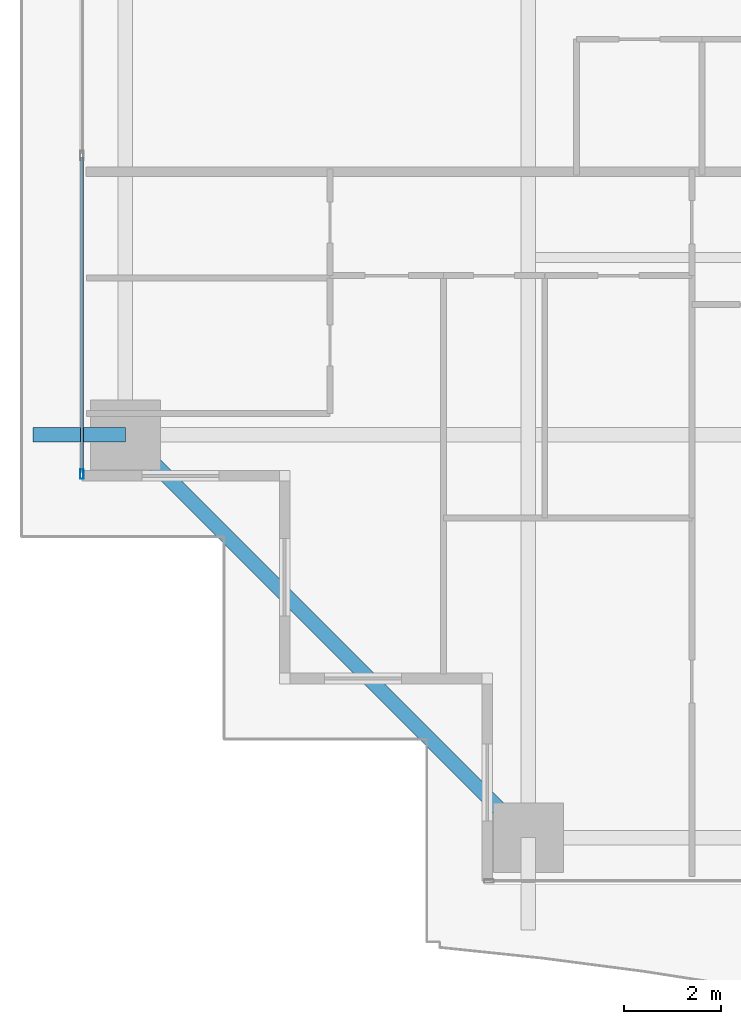
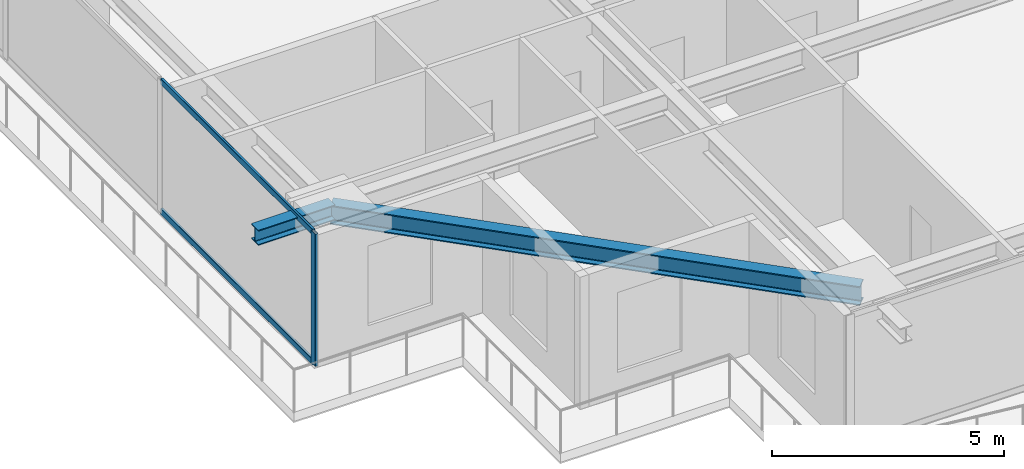
# One storey, part 3 of 39: 3 members, 2 beams, 1 element without a shape of its own.
"""IFC4 building model written with IfcOpenShell, lengths in metres."""

from ifc_helpers import new_model, si_unit, direction, frame, origin, origin_2d, place, context, subcontext, project, spatial, hollow_rectangle, i_section, extrude, source, transform, mapped, material, layer, layer_set, material_profile, profile_set, type_object, element, aggregate, save


model = new_model("IFC4")

# Units and contexts
model_context = context("Model", 3, precision=1e-05, world=origin(), true_north=direction((0.0, 1.0)))
body_context = subcontext(model_context, "Body", "Model", "MODEL_VIEW")
ifc_project = project(units=[si_unit("LENGTHUNIT", "METRE"), si_unit("AREAUNIT", "SQUARE_METRE"), si_unit("VOLUMEUNIT", "CUBIC_METRE"), si_unit("PLANEANGLEUNIT", "RADIAN"), si_unit("MASSUNIT", "GRAM", prefix="KILO")], contexts=[model_context])

# Site, building, storey
site_placement = place(None, origin())
site = spatial("IfcSite", under=ifc_project, at=site_placement, CompositionType="ELEMENT")
building_placement = place(site_placement, origin())
building = spatial("IfcBuilding", under=site, at=building_placement, Name="Serunith Strait Residences", CompositionType="ELEMENT")
storey_placement = place(building_placement, frame((0.0, 0.0, 64.199951171875)))
storey = spatial("IfcBuildingStorey", under=building, at=storey_placement, Name="L15", CompositionType="ELEMENT", Elevation=64.199951171875)

# Beams
ifc_material_1 = material(Name="Steel S355J2", Category="steel")
ifc_material_profile_1 = material_profile(ifc_material_1, i_section(OverallWidth=0.300048828125, OverallDepth=0.5, WebThickness=0.014404296875, FlangeThickness=0.028076171875, FilletRadius=0.027099609375, at=origin_2d()), Name="HEB 500")
ifc_profile_set_1 = profile_set([ifc_material_profile_1], Name="Steel S355J2")
beam_type_1 = type_object("IfcBeamType", Name="BM-HEB500", PredefinedType="BEAM", material=ifc_profile_set_1)
shared_shape_1 = source(origin(), body_context, "Body", "SweptSolid", [
    extrude(i_section(OverallWidth=0.300048828125, OverallDepth=0.5, WebThickness=0.014404296875, FlangeThickness=0.028076171875, FilletRadius=0.027099609375, at=origin_2d()), origin(), (0.0, 0.0, 1.0), 11.80859375),
])
beam_1_placement = place(storey_placement, frame((6.89990234375, 9.449951171875, 3.20703125), z_axis=(0.707117118476, -0.707096443746, 0.0), x_axis=(0.707096443746, 0.707117118476, 0.0)))
element("IfcBeam", 1, at=beam_1_placement, inside=storey, type_object=beam_type_1, Name="L15 Perimeter Ring Beam 16", PredefinedType="BEAM", context=body_context, shape_type="MappedRepresentation", body=[
    mapped(shared_shape_1, transform((0.0, 0.0, 0.0), scale=1.0)),
])
ifc_material_profile_2 = material_profile(ifc_material_1, i_section(OverallWidth=0.300048828125, OverallDepth=0.39990234375, WebThickness=0.013427734375, FlangeThickness=0.02392578125, FilletRadius=0.027099609375, at=origin_2d()), Name="HEB 400")
ifc_profile_set_2 = profile_set([ifc_material_profile_2], Name="Steel S355J2")
beam_type_2 = type_object("IfcBeamType", Name="BM-HEB400", PredefinedType="BEAM", material=ifc_profile_set_2)
shared_shape_2 = source(origin(), body_context, "Body", "SweptSolid", [
    extrude(i_section(OverallWidth=0.300048828125, OverallDepth=0.39990234375, WebThickness=0.013427734375, FlangeThickness=0.02392578125, FilletRadius=0.027099609375, at=origin_2d()), origin(), (0.0, 0.0, 1.0), 1.909912109375),
])
beam_2_placement = place(storey_placement, frame((6.89990234375, 9.449951171875, 3.257080078125), z_axis=(-1.0, 0.0, 0.0), x_axis=(0.0, -1.0, 0.0)))
element("IfcBeam", 2, at=beam_2_placement, inside=storey, type_object=beam_type_2, Name="L16 Cantilevered Balcony Rib TC-W1", PredefinedType="BEAM", context=body_context, shape_type="MappedRepresentation", body=[
    mapped(shared_shape_2, transform((0.0, 0.0, 0.0), scale=1.0)),
])

# Curtain wall, members
ifc_material_2 = material(Name="Pale-Champagne Anodised Aluminium", Category="aluminium")
ifc_layer = layer(ifc_material_2, 0.199951171875, Name="Pale-Champagne Anodised Aluminium")
ifc_layer_set = layer_set([ifc_layer], Name="Pale-Champagne Anodised Aluminium")
curtain_wall_type = type_object("IfcCurtainWallType", Name="CW-SYS1", PredefinedType="NOTDEFINED", material=ifc_layer_set)
curtain_wall_placement = place(storey_placement, origin())
curtain_wall = element("IfcCurtainWall", 3, at=curtain_wall_placement, inside=storey, type_object=curtain_wall_type, Name="L15 W Unitised Fritted Curtain Wall", PredefinedType="NOTDEFINED")
ifc_material_profile_3 = material_profile(ifc_material_2, hollow_rectangle(XDim=0.070068359375, YDim=0.199951171875, WallThickness=0.00390625, InnerFilletRadius=0.006103515625, OuterFilletRadius=0.010009765625, at=origin_2d()), Name="ALU 200x70x4")
ifc_profile_set_3 = profile_set([ifc_material_profile_3], Name="Pale-Champagne Anodised Aluminium")
member_type_1 = type_object("IfcMemberType", Name="CW-SYS1-MULL", PredefinedType="MULLION", material=ifc_profile_set_3)
shared_shape_3 = source(origin(), body_context, "Body", "SweptSolid", [
    extrude(hollow_rectangle(XDim=0.070068359375, YDim=0.199951171875, WallThickness=0.00390625, InnerFilletRadius=0.006103515625, OuterFilletRadius=0.010009765625, at=origin_2d()), origin(), (0.0, 0.0, 1.0), 3.47509765625),
])
member_1_placement = place(storey_placement, frame((6.0, 8.635009765625, 0.0), z_axis=(0.0, 0.0, 1.0), x_axis=(1.0, 0.0, 0.0)))
member_1 = element("IfcMember", 4, at=member_1_placement, type_object=member_type_1, Name="CW-1 mullion 6", PredefinedType="MULLION", context=body_context, shape_type="MappedRepresentation", body=[
    mapped(shared_shape_3, transform((0.0, 0.0, 0.0), scale=1.0)),
])
ifc_material_profile_4 = material_profile(ifc_material_2, hollow_rectangle(XDim=0.06005859375, YDim=0.159912109375, WallThickness=0.00341796875, InnerFilletRadius=0.00537109375, OuterFilletRadius=0.0087890625, at=origin_2d()), Name="ALU 160x60x3.5")
ifc_profile_set_4 = profile_set([ifc_material_profile_4], Name="Pale-Champagne Anodised Aluminium")
member_type_2 = type_object("IfcMemberType", Name="CW-SYS1-TRAN", PredefinedType="USERDEFINED", material=ifc_profile_set_4)
shared_shape_4 = source(origin(), body_context, "Body", "SweptSolid", [
    extrude(hollow_rectangle(XDim=0.06005859375, YDim=0.159912109375, WallThickness=0.00341796875, InnerFilletRadius=0.00537109375, OuterFilletRadius=0.0087890625, at=origin_2d()), origin(), (0.0, 0.0, 1.0), 6.53515625),
])
member_2_placement = place(storey_placement, frame((6.0, 15.205078125, 0.030029296875), z_axis=(0.0, -1.0, 0.0), x_axis=(1.0, 0.0, 0.0)))
member_2 = element("IfcMember", 5, at=member_2_placement, type_object=member_type_2, Name="CW-1 transom 5.1", ObjectType="TRANSOM", PredefinedType="USERDEFINED", context=body_context, shape_type="MappedRepresentation", body=[
    mapped(shared_shape_4, transform((0.0, 0.0, 0.0), scale=1.0)),
])
member_3_placement = place(storey_placement, frame((6.0, 15.205078125, 3.445068359375), z_axis=(0.0, -1.0, 0.0), x_axis=(1.0, 0.0, 0.0)))
member_3 = element("IfcMember", 6, at=member_3_placement, type_object=member_type_2, Name="CW-1 transom 5.2", ObjectType="TRANSOM", PredefinedType="USERDEFINED", context=body_context, shape_type="MappedRepresentation", body=[
    mapped(shared_shape_4, transform((0.0, 0.0, 0.0), scale=1.0)),
])
aggregate(curtain_wall, [member_1, member_2, member_3])

save(model, "model.ifc")
